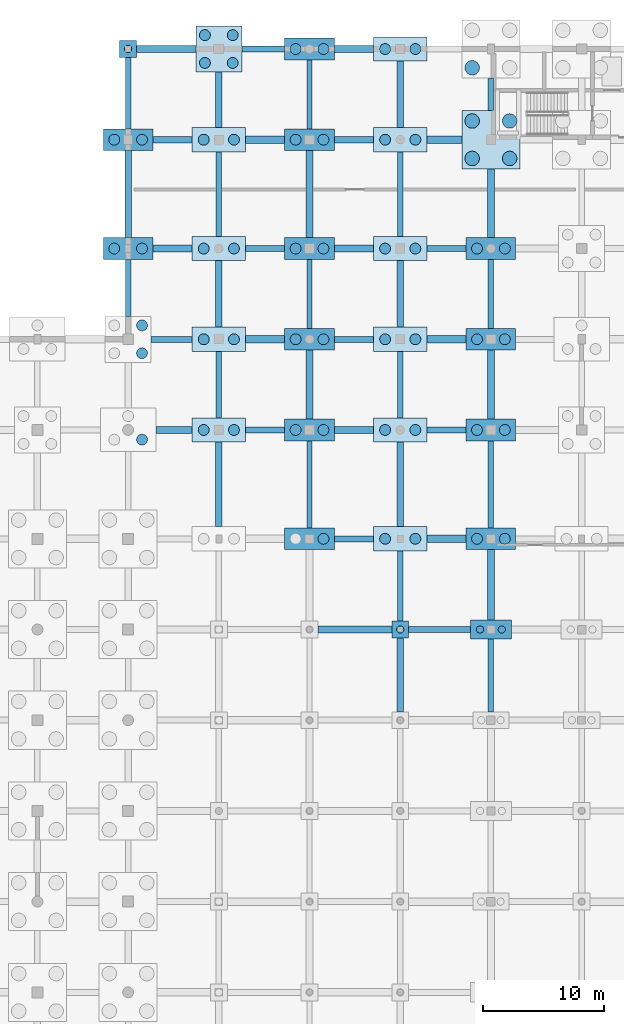
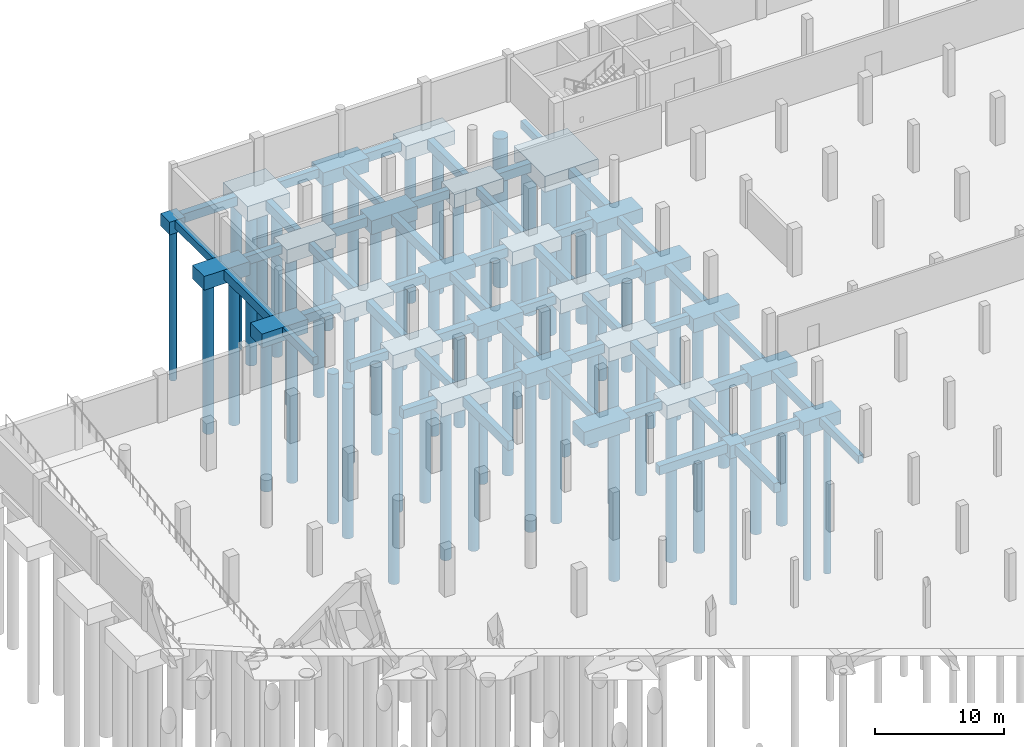
# One storey, part 7 of 42: 77 footings, 59 piles.
"""IFC4 building model written with IfcOpenShell, lengths in metres."""

from ifc_helpers import new_model, si_unit, direction, frame, origin, origin_2d, place, context, subcontext, project, spatial, rectangle, circle, extrude, material, material_profile, profile_set, type_object, element, save


model = new_model("IFC4")

# Units and contexts
model_context = context("Model", 3, precision=1e-05, world=origin(), true_north=direction((0.0, 1.0)))
body_context = subcontext(model_context, "Body", "Model", "MODEL_VIEW")
ifc_project = project(units=[si_unit("LENGTHUNIT", "METRE"), si_unit("AREAUNIT", "SQUARE_METRE"), si_unit("VOLUMEUNIT", "CUBIC_METRE"), si_unit("PLANEANGLEUNIT", "RADIAN"), si_unit("MASSUNIT", "GRAM", prefix="KILO")], contexts=[model_context])

# Site, building, storey
site_placement = place(None, origin())
site = spatial("IfcSite", under=ifc_project, at=site_placement, CompositionType="ELEMENT")
building_placement = place(site_placement, origin())
building = spatial("IfcBuilding", under=site, at=building_placement, Name="Dalvernix Boulevard General Hospital", CompositionType="ELEMENT")
storey_placement = place(building_placement, frame((0.0, 0.0, -4.5)))
storey = spatial("IfcBuildingStorey", under=building, at=storey_placement, Name="B1", CompositionType="ELEMENT", Elevation=-4.5)

# Footings
ifc_material_1 = material(Name="Concrete C35/45", Category="concrete")
footing_type_1 = type_object("IfcFootingType", Name="FTG-GB-01", PredefinedType="FOOTING_BEAM", material=ifc_material_1)
footing_1_placement = place(storey_placement, frame((55.75, 69.0, -1.2998046875), z_axis=(0.0, 0.0, 1.0), x_axis=(1.0, 0.0, 0.0)))
element("IfcFooting", 1, at=footing_1_placement, inside=storey, type_object=footing_type_1, Name="Ground beam K:8-9", PredefinedType="FOOTING_BEAM", context=body_context, shape_type="SweptSolid", body=[
    extrude(rectangle(XDim=5.10009765625, YDim=0.5, at=origin_2d()), origin(), (0.0, 0.0, 1.0), 0.800048828125),
])
for number, where, z_axis, x_axis, name in (
    (2, (48.675048828125, 76.5, -1.2998046875), (0.0, 0.0, 1.0), (1.0, 0.0, 0.0), "Ground beam L:7-8"),
    (3, (41.324951171875, 85.5, -1.2998046875), (0.0, 0.0, 1.0), (1.0, 0.0, 0.0), "Ground beam M:6-7"),
    (4, (56.324951171875, 85.5, -1.2998046875), (0.0, 0.0, 1.0), (1.0, 0.0, 0.0), "Ground beam M:8-9"),
):
    element("IfcFooting", number, at=place(storey_placement, frame(where, z_axis=z_axis, x_axis=x_axis)), inside=storey, type_object=footing_type_1, Name=name, PredefinedType="FOOTING_BEAM", context=body_context, shape_type="SweptSolid", body=[
        extrude(rectangle(XDim=3.25, YDim=0.5, at=origin_2d()), origin(), (0.0, 0.0, 1.0), 0.800048828125),
    ])
footing_2_placement = place(storey_placement, frame((33.60009765625, 93.0, -1.2998046875), z_axis=(0.0, 0.0, 1.0), x_axis=(1.0, 0.0, 0.0)))
element("IfcFooting", 5, at=footing_2_placement, inside=storey, type_object=footing_type_1, Name="Ground beam N:5-6", PredefinedType="FOOTING_BEAM", context=body_context, shape_type="SweptSolid", body=[
    extrude(rectangle(XDim=3.39990234375, YDim=0.5, at=origin_2d()), origin(), (0.0, 0.0, 1.0), 0.800048828125),
])
for number, where, z_axis, x_axis, name in (
    (6, (48.675048828125, 93.0, -1.2998046875), (0.0, 0.0, 1.0), (1.0, 0.0, 0.0), "Ground beam N:7-8"),
    (7, (41.324951171875, 100.5, -1.2998046875), (0.0, 0.0, 1.0), (1.0, 0.0, 0.0), "Ground beam P:6-7"),
    (8, (56.324951171875, 100.5, -1.2998046875), (0.0, 0.0, 1.0), (1.0, 0.0, 0.0), "Ground beam P:8-9"),
    (9, (33.675048828125, 109.5, -1.2998046875), (0.0, 0.0, 1.0), (1.0, 0.0, 0.0), "Ground beam Q:5-6"),
    (10, (48.675048828125, 109.5, -1.2998046875), (0.0, 0.0, 1.0), (1.0, 0.0, 0.0), "Ground beam Q:7-8"),
):
    element("IfcFooting", number, at=place(storey_placement, frame(where, z_axis=z_axis, x_axis=x_axis)), inside=storey, type_object=footing_type_1, Name=name, PredefinedType="FOOTING_BEAM", context=body_context, shape_type="SweptSolid", body=[
        extrude(rectangle(XDim=3.25, YDim=0.5, at=origin_2d()), origin(), (0.0, 0.0, 1.0), 0.800048828125),
    ])
footing_3_placement = place(storey_placement, frame((41.175048828125, 117.0, -1.2998046875), z_axis=(0.0, 0.0, 1.0), x_axis=(1.0, 0.0, 0.0)))
element("IfcFooting", 11, at=footing_3_placement, inside=storey, type_object=footing_type_1, Name="Ground beam R:6-7", PredefinedType="FOOTING_BEAM", context=body_context, shape_type="SweptSolid", body=[
    extrude(rectangle(XDim=3.550048828125, YDim=0.5, at=origin_2d()), origin(), (0.0, 0.0, 1.0), 0.800048828125),
])
footing_type_2 = type_object("IfcFootingType", Name="FTG-GB-02", PredefinedType="FOOTING_BEAM", material=ifc_material_1)
footing_4_placement = place(storey_placement, frame((48.75, 69.0, -1.35009765625), z_axis=(0.0, 0.0, 1.0), x_axis=(1.0, 0.0, 0.0)))
element("IfcFooting", 12, at=footing_4_placement, inside=storey, type_object=footing_type_2, Name="Ground beam K:7-8", PredefinedType="FOOTING_BEAM", context=body_context, shape_type="SweptSolid", body=[
    extrude(rectangle(XDim=6.10009765625, YDim=0.60009765625, at=origin_2d()), origin(), (0.0, 0.0, 1.0), 0.85009765625),
])
footing_5_placement = place(storey_placement, frame((56.324951171875, 76.5, -1.35009765625), z_axis=(0.0, 0.0, 1.0), x_axis=(1.0, 0.0, 0.0)))
element("IfcFooting", 13, at=footing_5_placement, inside=storey, type_object=footing_type_2, Name="Ground beam L:8-9", PredefinedType="FOOTING_BEAM", context=body_context, shape_type="SweptSolid", body=[
    extrude(rectangle(XDim=3.25, YDim=0.60009765625, at=origin_2d()), origin(), (0.0, 0.0, 1.0), 0.85009765625),
])
footing_6_placement = place(storey_placement, frame((33.800048828125, 85.5, -1.35009765625), z_axis=(0.0, 0.0, 1.0), x_axis=(1.0, 0.0, 0.0)))
element("IfcFooting", 14, at=footing_6_placement, inside=storey, type_object=footing_type_2, Name="Ground beam M:5-6", PredefinedType="FOOTING_BEAM", context=body_context, shape_type="SweptSolid", body=[
    extrude(rectangle(XDim=3.0, YDim=0.60009765625, at=origin_2d()), origin(), (0.0, 0.0, 1.0), 0.85009765625),
])
for number, where, z_axis, x_axis, name in (
    (15, (48.675048828125, 85.5, -1.35009765625), (0.0, 0.0, 1.0), (1.0, 0.0, 0.0), "Ground beam M:7-8"),
    (16, (41.324951171875, 93.0, -1.35009765625), (0.0, 0.0, 1.0), (1.0, 0.0, 0.0), "Ground beam N:6-7"),
    (17, (56.324951171875, 93.0, -1.35009765625), (0.0, 0.0, 1.0), (1.0, 0.0, 0.0), "Ground beam N:8-9"),
    (18, (33.675048828125, 100.5, -1.35009765625), (0.0, 0.0, 1.0), (1.0, 0.0, 0.0), "Ground beam P:5-6"),
    (19, (48.675048828125, 100.5, -1.35009765625), (0.0, 0.0, 1.0), (1.0, 0.0, 0.0), "Ground beam P:7-8"),
    (20, (41.324951171875, 109.5, -1.35009765625), (0.0, 0.0, 1.0), (1.0, 0.0, 0.0), "Ground beam Q:6-7"),
):
    element("IfcFooting", number, at=place(storey_placement, frame(where, z_axis=z_axis, x_axis=x_axis)), inside=storey, type_object=footing_type_2, Name=name, PredefinedType="FOOTING_BEAM", context=body_context, shape_type="SweptSolid", body=[
        extrude(rectangle(XDim=3.25, YDim=0.60009765625, at=origin_2d()), origin(), (0.0, 0.0, 1.0), 0.85009765625),
    ])
footing_7_placement = place(storey_placement, frame((56.14990234375, 109.5, -1.35009765625), z_axis=(0.0, 0.0, 1.0), x_axis=(1.0, 0.0, 0.0)))
element("IfcFooting", 21, at=footing_7_placement, inside=storey, type_object=footing_type_2, Name="Ground beam Q:8-9", PredefinedType="FOOTING_BEAM", context=body_context, shape_type="SweptSolid", body=[
    extrude(rectangle(XDim=2.89990234375, YDim=0.60009765625, at=origin_2d()), origin(), (0.0, 0.0, 1.0), 0.85009765625),
])
footing_8_placement = place(storey_placement, frame((33.14990234375, 117.0, -1.35009765625), z_axis=(0.0, 0.0, 1.0), x_axis=(1.0, 0.0, 0.0)))
element("IfcFooting", 22, at=footing_8_placement, inside=storey, type_object=footing_type_2, Name="Ground beam R:5-6", PredefinedType="FOOTING_BEAM", context=body_context, shape_type="SweptSolid", body=[
    extrude(rectangle(XDim=4.89990234375, YDim=0.60009765625, at=origin_2d()), origin(), (0.0, 0.0, 1.0), 0.85009765625),
])
footing_9_placement = place(storey_placement, frame((48.675048828125, 117.0, -1.35009765625), z_axis=(0.0, 0.0, 1.0), x_axis=(1.0, 0.0, 0.0)))
element("IfcFooting", 23, at=footing_9_placement, inside=storey, type_object=footing_type_2, Name="Ground beam R:7-8", PredefinedType="FOOTING_BEAM", context=body_context, shape_type="SweptSolid", body=[
    extrude(rectangle(XDim=3.25, YDim=0.60009765625, at=origin_2d()), origin(), (0.0, 0.0, 1.0), 0.85009765625),
])
footing_type_3 = type_object("IfcFootingType", Name="FTG-GB-03", PredefinedType="FOOTING_BEAM", material=ifc_material_1)
footing_10_placement = place(storey_placement, frame((30.0, 97.25, -1.25), z_axis=(0.0, 0.0, 1.0), x_axis=(0.0, 1.0, 0.0)))
element("IfcFooting", 24, at=footing_10_placement, inside=storey, type_object=footing_type_3, Name="Ground beam 5:N-P", PredefinedType="FOOTING_BEAM", context=body_context, shape_type="SweptSolid", body=[
    extrude(rectangle(XDim=4.699951171875, YDim=0.449951171875, at=origin_2d()), origin(), (0.0, 0.0, 1.0), 0.75),
])
footing_11_placement = place(storey_placement, frame((30.0, 113.35009765625, -1.25), z_axis=(0.0, 0.0, 1.0), x_axis=(0.0, 1.0, 0.0)))
element("IfcFooting", 25, at=footing_11_placement, inside=storey, type_object=footing_type_3, Name="Ground beam 5:Q-R", PredefinedType="FOOTING_BEAM", context=body_context, shape_type="SweptSolid", body=[
    extrude(rectangle(XDim=5.89990234375, YDim=0.449951171875, at=origin_2d()), origin(), (0.0, 0.0, 1.0), 0.75),
])
footing_12_placement = place(storey_placement, frame((37.5, 89.25, -1.25), z_axis=(0.0, 0.0, 1.0), x_axis=(0.0, 1.0, 0.0)))
element("IfcFooting", 26, at=footing_12_placement, inside=storey, type_object=footing_type_3, Name="Ground beam 6:M-N", PredefinedType="FOOTING_BEAM", context=body_context, shape_type="SweptSolid", body=[
    extrude(rectangle(XDim=5.5, YDim=0.449951171875, at=origin_2d()), origin(), (0.0, 0.0, 1.0), 0.75),
])
footing_13_placement = place(storey_placement, frame((37.5, 105.0, -1.25), z_axis=(0.0, 0.0, 1.0), x_axis=(0.0, 1.0, 0.0)))
element("IfcFooting", 27, at=footing_13_placement, inside=storey, type_object=footing_type_3, Name="Ground beam 6:P-Q", PredefinedType="FOOTING_BEAM", context=body_context, shape_type="SweptSolid", body=[
    extrude(rectangle(XDim=7.0, YDim=0.449951171875, at=origin_2d()), origin(), (0.0, 0.0, 1.0), 0.75),
])
footing_14_placement = place(storey_placement, frame((45.0, 81.0, -1.25), z_axis=(0.0, 0.0, 1.0), x_axis=(0.0, 1.0, 0.0)))
element("IfcFooting", 28, at=footing_14_placement, inside=storey, type_object=footing_type_3, Name="Ground beam 7:L-M", PredefinedType="FOOTING_BEAM", context=body_context, shape_type="SweptSolid", body=[
    extrude(rectangle(XDim=7.199951171875, YDim=0.449951171875, at=origin_2d()), origin(), (0.0, 0.0, 1.0), 0.75),
])
for number, where, z_axis, x_axis, name in (
    (29, (45.0, 96.75, -1.25), (0.0, 0.0, 1.0), (0.0, 1.0, 0.0), "Ground beam 7:N-P"),
    (30, (45.0, 113.25, -1.25), (0.0, 0.0, 1.0), (0.0, 1.0, 0.0), "Ground beam 7:Q-R"),
):
    element("IfcFooting", number, at=place(storey_placement, frame(where, z_axis=z_axis, x_axis=x_axis)), inside=storey, type_object=footing_type_3, Name=name, PredefinedType="FOOTING_BEAM", context=body_context, shape_type="SweptSolid", body=[
        extrude(rectangle(XDim=5.699951171875, YDim=0.449951171875, at=origin_2d()), origin(), (0.0, 0.0, 1.0), 0.75),
    ])
footing_15_placement = place(storey_placement, frame((52.5, 72.60009765625, -1.25), z_axis=(0.0, 0.0, 1.0), x_axis=(0.0, 1.0, 0.0)))
element("IfcFooting", 31, at=footing_15_placement, inside=storey, type_object=footing_type_3, Name="Ground beam 8:K-L", PredefinedType="FOOTING_BEAM", context=body_context, shape_type="SweptSolid", body=[
    extrude(rectangle(XDim=5.800048828125, YDim=0.449951171875, at=origin_2d()), origin(), (0.0, 0.0, 1.0), 0.75),
])
footing_16_placement = place(storey_placement, frame((52.5, 89.25, -1.25), z_axis=(0.0, 0.0, 1.0), x_axis=(0.0, 1.0, 0.0)))
element("IfcFooting", 32, at=footing_16_placement, inside=storey, type_object=footing_type_3, Name="Ground beam 8:M-N", PredefinedType="FOOTING_BEAM", context=body_context, shape_type="SweptSolid", body=[
    extrude(rectangle(XDim=5.5, YDim=0.449951171875, at=origin_2d()), origin(), (0.0, 0.0, 1.0), 0.75),
])
footing_17_placement = place(storey_placement, frame((52.5, 105.0, -1.25), z_axis=(0.0, 0.0, 1.0), x_axis=(0.0, 1.0, 0.0)))
element("IfcFooting", 33, at=footing_17_placement, inside=storey, type_object=footing_type_3, Name="Ground beam 8:P-Q", PredefinedType="FOOTING_BEAM", context=body_context, shape_type="SweptSolid", body=[
    extrude(rectangle(XDim=7.0, YDim=0.449951171875, at=origin_2d()), origin(), (0.0, 0.0, 1.0), 0.75),
])
footing_18_placement = place(storey_placement, frame((60.0, 65.199951171875, -1.25), z_axis=(0.0, 0.0, 1.0), x_axis=(0.0, 1.0, 0.0)))
element("IfcFooting", 34, at=footing_18_placement, inside=storey, type_object=footing_type_3, Name="Ground beam 9:J-K", PredefinedType="FOOTING_BEAM", context=body_context, shape_type="SweptSolid", body=[
    extrude(rectangle(XDim=6.0, YDim=0.449951171875, at=origin_2d()), origin(), (0.0, 0.0, 1.0), 0.75),
])
footing_19_placement = place(storey_placement, frame((60.0, 81.0, -1.25), z_axis=(0.0, 0.0, 1.0), x_axis=(0.0, 1.0, 0.0)))
element("IfcFooting", 35, at=footing_19_placement, inside=storey, type_object=footing_type_3, Name="Ground beam 9:L-M", PredefinedType="FOOTING_BEAM", context=body_context, shape_type="SweptSolid", body=[
    extrude(rectangle(XDim=7.199951171875, YDim=0.449951171875, at=origin_2d()), origin(), (0.0, 0.0, 1.0), 0.75),
])
footing_20_placement = place(storey_placement, frame((60.0, 96.75, -1.25), z_axis=(0.0, 0.0, 1.0), x_axis=(0.0, 1.0, 0.0)))
element("IfcFooting", 36, at=footing_20_placement, inside=storey, type_object=footing_type_3, Name="Ground beam 9:N-P", PredefinedType="FOOTING_BEAM", context=body_context, shape_type="SweptSolid", body=[
    extrude(rectangle(XDim=5.699951171875, YDim=0.449951171875, at=origin_2d()), origin(), (0.0, 0.0, 1.0), 0.75),
])
footing_21_placement = place(storey_placement, frame((60.0, 113.25, -1.25), z_axis=(0.0, 0.0, 1.0), x_axis=(0.0, 1.0, 0.0)))
element("IfcFooting", 37, at=footing_21_placement, inside=storey, type_object=footing_type_3, Name="Ground beam 9:Q-R", PredefinedType="FOOTING_BEAM", context=body_context, shape_type="SweptSolid", body=[
    extrude(rectangle(XDim=2.699951171875, YDim=0.449951171875, at=origin_2d()), origin(), (0.0, 0.0, 1.0), 0.75),
])
footing_type_4 = type_object("IfcFootingType", Name="FTG-GB-04", PredefinedType="FOOTING_BEAM", material=ifc_material_1)
footing_22_placement = place(storey_placement, frame((30.0, 105.0, -1.39990234375), z_axis=(0.0, 0.0, 1.0), x_axis=(0.0, 1.0, 0.0)))
element("IfcFooting", 38, at=footing_22_placement, inside=storey, type_object=footing_type_4, Name="Ground beam 5:P-Q", PredefinedType="FOOTING_BEAM", context=body_context, shape_type="SweptSolid", body=[
    extrude(rectangle(XDim=7.199951171875, YDim=0.550048828125, at=origin_2d()), origin(), (0.0, 0.0, 1.0), 0.89990234375),
])
footing_23_placement = place(storey_placement, frame((37.5, 81.0, -1.39990234375), z_axis=(0.0, 0.0, 1.0), x_axis=(0.0, 1.0, 0.0)))
element("IfcFooting", 39, at=footing_23_placement, inside=storey, type_object=footing_type_4, Name="Ground beam 6:L-M", PredefinedType="FOOTING_BEAM", context=body_context, shape_type="SweptSolid", body=[
    extrude(rectangle(XDim=7.0, YDim=0.550048828125, at=origin_2d()), origin(), (0.0, 0.0, 1.0), 0.89990234375),
])
footing_24_placement = place(storey_placement, frame((37.5, 96.75, -1.39990234375), z_axis=(0.0, 0.0, 1.0), x_axis=(0.0, 1.0, 0.0)))
element("IfcFooting", 40, at=footing_24_placement, inside=storey, type_object=footing_type_4, Name="Ground beam 6:N-P", PredefinedType="FOOTING_BEAM", context=body_context, shape_type="SweptSolid", body=[
    extrude(rectangle(XDim=5.5, YDim=0.550048828125, at=origin_2d()), origin(), (0.0, 0.0, 1.0), 0.89990234375),
])
footing_25_placement = place(storey_placement, frame((37.5, 112.800048828125, -1.39990234375), z_axis=(0.0, 0.0, 1.0), x_axis=(0.0, 1.0, 0.0)))
element("IfcFooting", 41, at=footing_25_placement, inside=storey, type_object=footing_type_4, Name="Ground beam 6:Q-R", PredefinedType="FOOTING_BEAM", context=body_context, shape_type="SweptSolid", body=[
    extrude(rectangle(XDim=4.60009765625, YDim=0.550048828125, at=origin_2d()), origin(), (0.0, 0.0, 1.0), 0.89990234375),
])
footing_26_placement = place(storey_placement, frame((45.0, 89.25, -1.39990234375), z_axis=(0.0, 0.0, 1.0), x_axis=(0.0, 1.0, 0.0)))
element("IfcFooting", 42, at=footing_26_placement, inside=storey, type_object=footing_type_4, Name="Ground beam 7:M-N", PredefinedType="FOOTING_BEAM", context=body_context, shape_type="SweptSolid", body=[
    extrude(rectangle(XDim=5.699951171875, YDim=0.550048828125, at=origin_2d()), origin(), (0.0, 0.0, 1.0), 0.89990234375),
])
footing_27_placement = place(storey_placement, frame((45.0, 105.0, -1.39990234375), z_axis=(0.0, 0.0, 1.0), x_axis=(0.0, 1.0, 0.0)))
element("IfcFooting", 43, at=footing_27_placement, inside=storey, type_object=footing_type_4, Name="Ground beam 7:P-Q", PredefinedType="FOOTING_BEAM", context=body_context, shape_type="SweptSolid", body=[
    extrude(rectangle(XDim=7.199951171875, YDim=0.550048828125, at=origin_2d()), origin(), (0.0, 0.0, 1.0), 0.89990234375),
])
footing_28_placement = place(storey_placement, frame((52.5, 65.25, -1.39990234375), z_axis=(0.0, 0.0, 1.0), x_axis=(0.0, 1.0, 0.0)))
element("IfcFooting", 44, at=footing_28_placement, inside=storey, type_object=footing_type_4, Name="Ground beam 8:J-K", PredefinedType="FOOTING_BEAM", context=body_context, shape_type="SweptSolid", body=[
    extrude(rectangle(XDim=6.10009765625, YDim=0.550048828125, at=origin_2d()), origin(), (0.0, 0.0, 1.0), 0.89990234375),
])
footing_29_placement = place(storey_placement, frame((52.5, 81.0, -1.39990234375), z_axis=(0.0, 0.0, 1.0), x_axis=(0.0, 1.0, 0.0)))
element("IfcFooting", 45, at=footing_29_placement, inside=storey, type_object=footing_type_4, Name="Ground beam 8:L-M", PredefinedType="FOOTING_BEAM", context=body_context, shape_type="SweptSolid", body=[
    extrude(rectangle(XDim=7.0, YDim=0.550048828125, at=origin_2d()), origin(), (0.0, 0.0, 1.0), 0.89990234375),
])
for number, where, z_axis, x_axis, name in (
    (46, (52.5, 96.75, -1.39990234375), (0.0, 0.0, 1.0), (0.0, 1.0, 0.0), "Ground beam 8:N-P"),
    (47, (52.5, 113.25, -1.39990234375), (0.0, 0.0, 1.0), (0.0, 1.0, 0.0), "Ground beam 8:Q-R"),
):
    element("IfcFooting", number, at=place(storey_placement, frame(where, z_axis=z_axis, x_axis=x_axis)), inside=storey, type_object=footing_type_4, Name=name, PredefinedType="FOOTING_BEAM", context=body_context, shape_type="SweptSolid", body=[
        extrude(rectangle(XDim=5.5, YDim=0.550048828125, at=origin_2d()), origin(), (0.0, 0.0, 1.0), 0.89990234375),
    ])
footing_30_placement = place(storey_placement, frame((60.0, 72.699951171875, -1.39990234375), z_axis=(0.0, 0.0, 1.0), x_axis=(0.0, 1.0, 0.0)))
element("IfcFooting", 48, at=footing_30_placement, inside=storey, type_object=footing_type_4, Name="Ground beam 9:K-L", PredefinedType="FOOTING_BEAM", context=body_context, shape_type="SweptSolid", body=[
    extrude(rectangle(XDim=5.800048828125, YDim=0.550048828125, at=origin_2d()), origin(), (0.0, 0.0, 1.0), 0.89990234375),
])
for number, where, z_axis, x_axis, name in (
    (49, (60.0, 89.25, -1.39990234375), (0.0, 0.0, 1.0), (0.0, 1.0, 0.0), "Ground beam 9:M-N"),
    (50, (60.0, 104.25, -1.39990234375), (0.0, 0.0, 1.0), (0.0, 1.0, 0.0), "Ground beam 9:P-Q"),
):
    element("IfcFooting", number, at=place(storey_placement, frame(where, z_axis=z_axis, x_axis=x_axis)), inside=storey, type_object=footing_type_4, Name=name, PredefinedType="FOOTING_BEAM", context=body_context, shape_type="SweptSolid", body=[
        extrude(rectangle(XDim=5.699951171875, YDim=0.550048828125, at=origin_2d()), origin(), (0.0, 0.0, 1.0), 0.89990234375),
    ])
ifc_material_2 = material(Name="Concrete C40/50", Category="concrete")
footing_type_5 = type_object("IfcFootingType", Name="FTG-PC-01", PredefinedType="PILE_CAP", material=ifc_material_2)
for number, where, z_axis, x_axis, name in (
    (51, (30.0, 117.0, -1.7001953125), (0.0, 0.0, 1.0), (1.0, 0.0, 0.0), "Pile cap 5R"),
    (52, (52.5, 69.0, -1.7001953125), (0.0, 0.0, 1.0), (1.0, 0.0, 0.0), "Pile cap 8K"),
):
    element("IfcFooting", number, at=place(storey_placement, frame(where, z_axis=z_axis, x_axis=x_axis)), inside=storey, type_object=footing_type_5, Name=name, PredefinedType="PILE_CAP", context=body_context, shape_type="SweptSolid", body=[
        extrude(rectangle(XDim=1.39990234375, YDim=1.39990234375, at=origin_2d()), origin(), (0.0, 0.0, 1.0), 1.199951171875),
    ])
footing_type_6 = type_object("IfcFootingType", Name="FTG-PC-03", PredefinedType="PILE_CAP", material=ifc_material_2)
footing_31_placement = place(storey_placement, frame((60.0, 69.0, -1.75), z_axis=(0.0, 0.0, 1.0), x_axis=(1.0, 0.0, 0.0)))
element("IfcFooting", 53, at=footing_31_placement, inside=storey, type_object=footing_type_6, Name="Pile cap 9K", PredefinedType="PILE_CAP", context=body_context, shape_type="SweptSolid", body=[
    extrude(rectangle(XDim=3.39990234375, YDim=1.60009765625, at=origin_2d()), origin(), (0.0, 0.0, 1.0), 1.25),
])
footing_type_7 = type_object("IfcFootingType", Name="FTG-PC-04", PredefinedType="PILE_CAP", material=ifc_material_2)
for number, where, z_axis, x_axis, name in (
    (54, (30.0, 100.5, -1.7998046875), (0.0, 0.0, 1.0), (1.0, 0.0, 0.0), "Pile cap 5P"),
    (55, (30.0, 109.5, -1.7998046875), (0.0, 0.0, 1.0), (1.0, 0.0, 0.0), "Pile cap 5Q"),
    (56, (45.0, 76.5, -1.7998046875), (0.0, 0.0, 1.0), (1.0, 0.0, 0.0), "Pile cap 7L"),
    (57, (45.0, 85.5, -1.7998046875), (0.0, 0.0, 1.0), (1.0, 0.0, 0.0), "Pile cap 7M"),
    (58, (45.0, 93.0, -1.7998046875), (0.0, 0.0, 1.0), (1.0, 0.0, 0.0), "Pile cap 7N"),
    (59, (45.0, 100.5, -1.7998046875), (0.0, 0.0, 1.0), (1.0, 0.0, 0.0), "Pile cap 7P"),
    (60, (45.0, 109.5, -1.7998046875), (0.0, 0.0, 1.0), (1.0, 0.0, 0.0), "Pile cap 7Q"),
    (61, (45.0, 117.0, -1.7998046875), (0.0, 0.0, 1.0), (1.0, 0.0, 0.0), "Pile cap 7R"),
    (62, (60.0, 76.5, -1.7998046875), (0.0, 0.0, 1.0), (1.0, 0.0, 0.0), "Pile cap 9L"),
    (63, (60.0, 85.5, -1.7998046875), (0.0, 0.0, 1.0), (1.0, 0.0, 0.0), "Pile cap 9M"),
    (64, (60.0, 93.0, -1.7998046875), (0.0, 0.0, 1.0), (1.0, 0.0, 0.0), "Pile cap 9N"),
    (65, (60.0, 100.5, -1.7998046875), (0.0, 0.0, 1.0), (1.0, 0.0, 0.0), "Pile cap 9P"),
):
    element("IfcFooting", number, at=place(storey_placement, frame(where, z_axis=z_axis, x_axis=x_axis)), inside=storey, type_object=footing_type_7, Name=name, PredefinedType="PILE_CAP", context=body_context, shape_type="SweptSolid", body=[
        extrude(rectangle(XDim=4.10009765625, YDim=1.800048828125, at=origin_2d()), origin(), (0.0, 0.0, 1.0), 1.300048828125),
    ])
footing_type_8 = type_object("IfcFootingType", Name="FTG-PC-05", PredefinedType="PILE_CAP", material=ifc_material_2)
for number, where, z_axis, x_axis, name in (
    (66, (37.5, 85.5, -1.7998046875), (0.0, 0.0, 1.0), (1.0, 0.0, 0.0), "Pile cap 6M"),
    (67, (37.5, 93.0, -1.7998046875), (0.0, 0.0, 1.0), (1.0, 0.0, 0.0), "Pile cap 6N"),
    (68, (37.5, 100.5, -1.7998046875), (0.0, 0.0, 1.0), (1.0, 0.0, 0.0), "Pile cap 6P"),
    (69, (37.5, 109.5, -1.7998046875), (0.0, 0.0, 1.0), (1.0, 0.0, 0.0), "Pile cap 6Q"),
    (70, (52.5, 76.5, -1.7998046875), (0.0, 0.0, 1.0), (1.0, 0.0, 0.0), "Pile cap 8L"),
    (71, (52.5, 85.5, -1.7998046875), (0.0, 0.0, 1.0), (1.0, 0.0, 0.0), "Pile cap 8M"),
    (72, (52.5, 93.0, -1.7998046875), (0.0, 0.0, 1.0), (1.0, 0.0, 0.0), "Pile cap 8N"),
    (73, (52.5, 100.5, -1.7998046875), (0.0, 0.0, 1.0), (1.0, 0.0, 0.0), "Pile cap 8P"),
    (74, (52.5, 109.5, -1.7998046875), (0.0, 0.0, 1.0), (1.0, 0.0, 0.0), "Pile cap 8Q"),
    (75, (52.5, 117.0, -1.7998046875), (0.0, 0.0, 1.0), (1.0, 0.0, 0.0), "Pile cap 8R"),
):
    element("IfcFooting", number, at=place(storey_placement, frame(where, z_axis=z_axis, x_axis=x_axis)), inside=storey, type_object=footing_type_8, Name=name, PredefinedType="PILE_CAP", context=body_context, shape_type="SweptSolid", body=[
        extrude(rectangle(XDim=4.39990234375, YDim=2.0, at=origin_2d()), origin(), (0.0, 0.0, 1.0), 1.300048828125),
    ])
footing_type_9 = type_object("IfcFootingType", Name="FTG-PC-07", PredefinedType="PILE_CAP", material=ifc_material_2)
footing_32_placement = place(storey_placement, frame((37.5, 117.0, -1.89990234375), z_axis=(0.0, 0.0, 1.0), x_axis=(1.0, 0.0, 0.0)))
element("IfcFooting", 76, at=footing_32_placement, inside=storey, type_object=footing_type_9, Name="Pile cap 6R", PredefinedType="PILE_CAP", context=body_context, shape_type="SweptSolid", body=[
    extrude(rectangle(XDim=3.800048828125, YDim=3.800048828125, at=origin_2d()), origin(), (0.0, 0.0, 1.0), 1.39990234375),
])
footing_type_10 = type_object("IfcFootingType", Name="FTG-PC-09", PredefinedType="PILE_CAP", material=ifc_material_2)
footing_33_placement = place(storey_placement, frame((60.0, 109.5, -2.0), z_axis=(0.0, 0.0, 1.0), x_axis=(1.0, 0.0, 0.0)))
element("IfcFooting", 77, at=footing_33_placement, inside=storey, type_object=footing_type_10, Name="Pile cap 9Q", PredefinedType="PILE_CAP", context=body_context, shape_type="SweptSolid", body=[
    extrude(rectangle(XDim=4.800048828125, YDim=4.800048828125, at=origin_2d()), origin(), (0.0, 0.0, 1.0), 1.5),
])

# Piles
ifc_material_profile_1 = material_profile(ifc_material_1, circle(Radius=0.300048828125, at=origin_2d()), Name="BORED PILE D600")
ifc_profile_set_1 = profile_set([ifc_material_profile_1], Name="Concrete C35/45")
pile_type_1 = type_object("IfcPileType", Name="PILE-PL-01", PredefinedType="BORED", material=ifc_profile_set_1)
for number, where, z_axis, x_axis, name in (
    (78, (30.0, 117.0, -1.60009765625), (0.0, 0.0, -1.0), (1.0, 0.0, 0.0), "Bored pile 5R-1"),
    (79, (52.5, 69.0, -1.60009765625), (0.0, 0.0, -1.0), (1.0, 0.0, 0.0), "Bored pile 8K-1"),
):
    element("IfcPile", number, at=place(storey_placement, frame(where, z_axis=z_axis, x_axis=x_axis)), inside=storey, type_object=pile_type_1, Name=name, PredefinedType="BORED", context=body_context, shape_type="SweptSolid", body=[
        extrude(circle(Radius=0.300048828125, at=origin_2d()), origin(), (0.0, 0.0, 1.0), 14.39990234375),
    ])
for number, where, z_axis, x_axis, name in (
    (80, (59.10009765625, 69.0, -1.64990234375), (0.0, 0.0, -1.0), (1.0, 0.0, 0.0), "Bored pile 9K-1"),
    (81, (60.89990234375, 69.0, -1.64990234375), (0.0, 0.0, -1.0), (1.0, 0.0, 0.0), "Bored pile 9K-2"),
):
    element("IfcPile", number, at=place(storey_placement, frame(where, z_axis=z_axis, x_axis=x_axis)), inside=storey, type_object=pile_type_1, Name=name, PredefinedType="BORED", context=body_context, shape_type="SweptSolid", body=[
        extrude(circle(Radius=0.300048828125, at=origin_2d()), origin(), (0.0, 0.0, 1.0), 14.35009765625),
    ])
ifc_material_profile_2 = material_profile(ifc_material_1, circle(Radius=0.449951171875, at=origin_2d()), Name="BORED PILE D900")
ifc_profile_set_2 = profile_set([ifc_material_profile_2], Name="Concrete C35/45")
pile_type_2 = type_object("IfcPileType", Name="PILE-PL-02", PredefinedType="BORED", material=ifc_profile_set_2)
pile_placement = place(storey_placement, frame((31.14990234375, 84.699951171875, -1.75), z_axis=(0.0, 0.0, -1.0), x_axis=(1.0, 0.0, 0.0)))
element("IfcPile", 82, at=pile_placement, inside=storey, type_object=pile_type_2, Name="Bored pile 5M-2", PredefinedType="BORED", context=body_context, shape_type="SweptSolid", body=[
    extrude(circle(Radius=0.449951171875, at=origin_2d()), origin(), (0.0, 0.0, 1.0), 14.25),
])
for number, where, z_axis, x_axis, name in (
    (83, (31.14990234375, 91.85009765625, -1.800048828125), (0.0, 0.0, -1.0), (1.0, 0.0, 0.0), "Bored pile 5N-2"),
    (84, (31.14990234375, 94.14990234375, -1.800048828125), (0.0, 0.0, -1.0), (1.0, 0.0, 0.0), "Bored pile 5N-4"),
):
    element("IfcPile", number, at=place(storey_placement, frame(where, z_axis=z_axis, x_axis=x_axis)), inside=storey, type_object=pile_type_2, Name=name, PredefinedType="BORED", context=body_context, shape_type="SweptSolid", body=[
        extrude(circle(Radius=0.449951171875, at=origin_2d()), origin(), (0.0, 0.0, 1.0), 14.199951171875),
    ])
for number, where, z_axis, x_axis, name in (
    (85, (28.85009765625, 100.5, -1.699951171875), (0.0, 0.0, -1.0), (1.0, 0.0, 0.0), "Bored pile 5P-1"),
    (86, (31.14990234375, 100.5, -1.699951171875), (0.0, 0.0, -1.0), (1.0, 0.0, 0.0), "Bored pile 5P-2"),
    (87, (28.85009765625, 109.5, -1.699951171875), (0.0, 0.0, -1.0), (1.0, 0.0, 0.0), "Bored pile 5Q-1"),
    (88, (31.14990234375, 109.5, -1.699951171875), (0.0, 0.0, -1.0), (1.0, 0.0, 0.0), "Bored pile 5Q-2"),
    (89, (36.25, 85.5, -1.699951171875), (0.0, 0.0, -1.0), (1.0, 0.0, 0.0), "Bored pile 6M-1"),
    (90, (38.75, 85.5, -1.699951171875), (0.0, 0.0, -1.0), (1.0, 0.0, 0.0), "Bored pile 6M-2"),
    (91, (36.25, 93.0, -1.699951171875), (0.0, 0.0, -1.0), (1.0, 0.0, 0.0), "Bored pile 6N-1"),
    (92, (38.75, 93.0, -1.699951171875), (0.0, 0.0, -1.0), (1.0, 0.0, 0.0), "Bored pile 6N-2"),
    (93, (36.25, 100.5, -1.699951171875), (0.0, 0.0, -1.0), (1.0, 0.0, 0.0), "Bored pile 6P-1"),
    (94, (38.75, 100.5, -1.699951171875), (0.0, 0.0, -1.0), (1.0, 0.0, 0.0), "Bored pile 6P-2"),
    (95, (36.25, 109.5, -1.699951171875), (0.0, 0.0, -1.0), (1.0, 0.0, 0.0), "Bored pile 6Q-1"),
    (96, (38.75, 109.5, -1.699951171875), (0.0, 0.0, -1.0), (1.0, 0.0, 0.0), "Bored pile 6Q-2"),
):
    element("IfcPile", number, at=place(storey_placement, frame(where, z_axis=z_axis, x_axis=x_axis)), inside=storey, type_object=pile_type_2, Name=name, PredefinedType="BORED", context=body_context, shape_type="SweptSolid", body=[
        extrude(circle(Radius=0.449951171875, at=origin_2d()), origin(), (0.0, 0.0, 1.0), 14.300048828125),
    ])
for number, where, z_axis, x_axis, name in (
    (97, (36.35009765625, 115.85009765625, -1.800048828125), (0.0, 0.0, -1.0), (1.0, 0.0, 0.0), "Bored pile 6R-1"),
    (98, (38.64990234375, 115.85009765625, -1.800048828125), (0.0, 0.0, -1.0), (1.0, 0.0, 0.0), "Bored pile 6R-2"),
    (99, (36.35009765625, 118.14990234375, -1.800048828125), (0.0, 0.0, -1.0), (1.0, 0.0, 0.0), "Bored pile 6R-3"),
    (100, (38.64990234375, 118.14990234375, -1.800048828125), (0.0, 0.0, -1.0), (1.0, 0.0, 0.0), "Bored pile 6R-4"),
):
    element("IfcPile", number, at=place(storey_placement, frame(where, z_axis=z_axis, x_axis=x_axis)), inside=storey, type_object=pile_type_2, Name=name, PredefinedType="BORED", context=body_context, shape_type="SweptSolid", body=[
        extrude(circle(Radius=0.449951171875, at=origin_2d()), origin(), (0.0, 0.0, 1.0), 14.199951171875),
    ])
for number, where, z_axis, x_axis, name in (
    (101, (46.14990234375, 76.5, -1.699951171875), (0.0, 0.0, -1.0), (1.0, 0.0, 0.0), "Bored pile 7L-2"),
    (102, (43.85009765625, 85.5, -1.699951171875), (0.0, 0.0, -1.0), (1.0, 0.0, 0.0), "Bored pile 7M-1"),
    (103, (46.14990234375, 85.5, -1.699951171875), (0.0, 0.0, -1.0), (1.0, 0.0, 0.0), "Bored pile 7M-2"),
    (104, (43.85009765625, 93.0, -1.699951171875), (0.0, 0.0, -1.0), (1.0, 0.0, 0.0), "Bored pile 7N-1"),
    (105, (46.14990234375, 93.0, -1.699951171875), (0.0, 0.0, -1.0), (1.0, 0.0, 0.0), "Bored pile 7N-2"),
    (106, (43.85009765625, 100.5, -1.699951171875), (0.0, 0.0, -1.0), (1.0, 0.0, 0.0), "Bored pile 7P-1"),
    (107, (46.14990234375, 100.5, -1.699951171875), (0.0, 0.0, -1.0), (1.0, 0.0, 0.0), "Bored pile 7P-2"),
    (108, (43.85009765625, 109.5, -1.699951171875), (0.0, 0.0, -1.0), (1.0, 0.0, 0.0), "Bored pile 7Q-1"),
    (109, (46.14990234375, 109.5, -1.699951171875), (0.0, 0.0, -1.0), (1.0, 0.0, 0.0), "Bored pile 7Q-2"),
    (110, (43.85009765625, 117.0, -1.699951171875), (0.0, 0.0, -1.0), (1.0, 0.0, 0.0), "Bored pile 7R-1"),
    (111, (46.14990234375, 117.0, -1.699951171875), (0.0, 0.0, -1.0), (1.0, 0.0, 0.0), "Bored pile 7R-2"),
    (112, (51.25, 76.5, -1.699951171875), (0.0, 0.0, -1.0), (1.0, 0.0, 0.0), "Bored pile 8L-1"),
    (113, (53.75, 76.5, -1.699951171875), (0.0, 0.0, -1.0), (1.0, 0.0, 0.0), "Bored pile 8L-2"),
    (114, (51.25, 85.5, -1.699951171875), (0.0, 0.0, -1.0), (1.0, 0.0, 0.0), "Bored pile 8M-1"),
    (115, (53.75, 85.5, -1.699951171875), (0.0, 0.0, -1.0), (1.0, 0.0, 0.0), "Bored pile 8M-2"),
    (116, (51.25, 93.0, -1.699951171875), (0.0, 0.0, -1.0), (1.0, 0.0, 0.0), "Bored pile 8N-1"),
    (117, (53.75, 93.0, -1.699951171875), (0.0, 0.0, -1.0), (1.0, 0.0, 0.0), "Bored pile 8N-2"),
    (118, (51.25, 100.5, -1.699951171875), (0.0, 0.0, -1.0), (1.0, 0.0, 0.0), "Bored pile 8P-1"),
    (119, (53.75, 100.5, -1.699951171875), (0.0, 0.0, -1.0), (1.0, 0.0, 0.0), "Bored pile 8P-2"),
    (120, (51.25, 109.5, -1.699951171875), (0.0, 0.0, -1.0), (1.0, 0.0, 0.0), "Bored pile 8Q-1"),
    (121, (53.75, 109.5, -1.699951171875), (0.0, 0.0, -1.0), (1.0, 0.0, 0.0), "Bored pile 8Q-2"),
    (122, (51.25, 117.0, -1.699951171875), (0.0, 0.0, -1.0), (1.0, 0.0, 0.0), "Bored pile 8R-1"),
    (123, (53.75, 117.0, -1.699951171875), (0.0, 0.0, -1.0), (1.0, 0.0, 0.0), "Bored pile 8R-2"),
    (124, (58.85009765625, 76.5, -1.699951171875), (0.0, 0.0, -1.0), (1.0, 0.0, 0.0), "Bored pile 9L-1"),
    (125, (61.14990234375, 76.5, -1.699951171875), (0.0, 0.0, -1.0), (1.0, 0.0, 0.0), "Bored pile 9L-2"),
    (126, (58.85009765625, 85.5, -1.699951171875), (0.0, 0.0, -1.0), (1.0, 0.0, 0.0), "Bored pile 9M-1"),
    (127, (61.14990234375, 85.5, -1.699951171875), (0.0, 0.0, -1.0), (1.0, 0.0, 0.0), "Bored pile 9M-2"),
    (128, (58.85009765625, 93.0, -1.699951171875), (0.0, 0.0, -1.0), (1.0, 0.0, 0.0), "Bored pile 9N-1"),
    (129, (61.14990234375, 93.0, -1.699951171875), (0.0, 0.0, -1.0), (1.0, 0.0, 0.0), "Bored pile 9N-2"),
    (130, (58.85009765625, 100.5, -1.699951171875), (0.0, 0.0, -1.0), (1.0, 0.0, 0.0), "Bored pile 9P-1"),
    (131, (61.14990234375, 100.5, -1.699951171875), (0.0, 0.0, -1.0), (1.0, 0.0, 0.0), "Bored pile 9P-2"),
):
    element("IfcPile", number, at=place(storey_placement, frame(where, z_axis=z_axis, x_axis=x_axis)), inside=storey, type_object=pile_type_2, Name=name, PredefinedType="BORED", context=body_context, shape_type="SweptSolid", body=[
        extrude(circle(Radius=0.449951171875, at=origin_2d()), origin(), (0.0, 0.0, 1.0), 14.300048828125),
    ])
ifc_material_profile_3 = material_profile(ifc_material_1, circle(Radius=0.60009765625, at=origin_2d()), Name="BORED PILE D1200")
ifc_profile_set_3 = profile_set([ifc_material_profile_3], Name="Concrete C35/45")
pile_type_3 = type_object("IfcPileType", Name="PILE-PL-03", PredefinedType="BORED", material=ifc_profile_set_3)
for number, where, z_axis, x_axis, name in (
    (132, (58.449951171875, 107.949951171875, -1.89990234375), (0.0, 0.0, -1.0), (1.0, 0.0, 0.0), "Bored pile 9Q-1"),
    (133, (61.550048828125, 107.949951171875, -1.89990234375), (0.0, 0.0, -1.0), (1.0, 0.0, 0.0), "Bored pile 9Q-2"),
    (134, (58.449951171875, 111.050048828125, -1.89990234375), (0.0, 0.0, -1.0), (1.0, 0.0, 0.0), "Bored pile 9Q-3"),
    (135, (61.550048828125, 111.050048828125, -1.89990234375), (0.0, 0.0, -1.0), (1.0, 0.0, 0.0), "Bored pile 9Q-4"),
    (136, (58.449951171875, 115.449951171875, -1.89990234375), (0.0, 0.0, -1.0), (1.0, 0.0, 0.0), "Bored pile 9R-1"),
):
    element("IfcPile", number, at=place(storey_placement, frame(where, z_axis=z_axis, x_axis=x_axis)), inside=storey, type_object=pile_type_3, Name=name, PredefinedType="BORED", context=body_context, shape_type="SweptSolid", body=[
        extrude(circle(Radius=0.60009765625, at=origin_2d()), origin(), (0.0, 0.0, 1.0), 14.10009765625),
    ])

save(model, "model.ifc")
